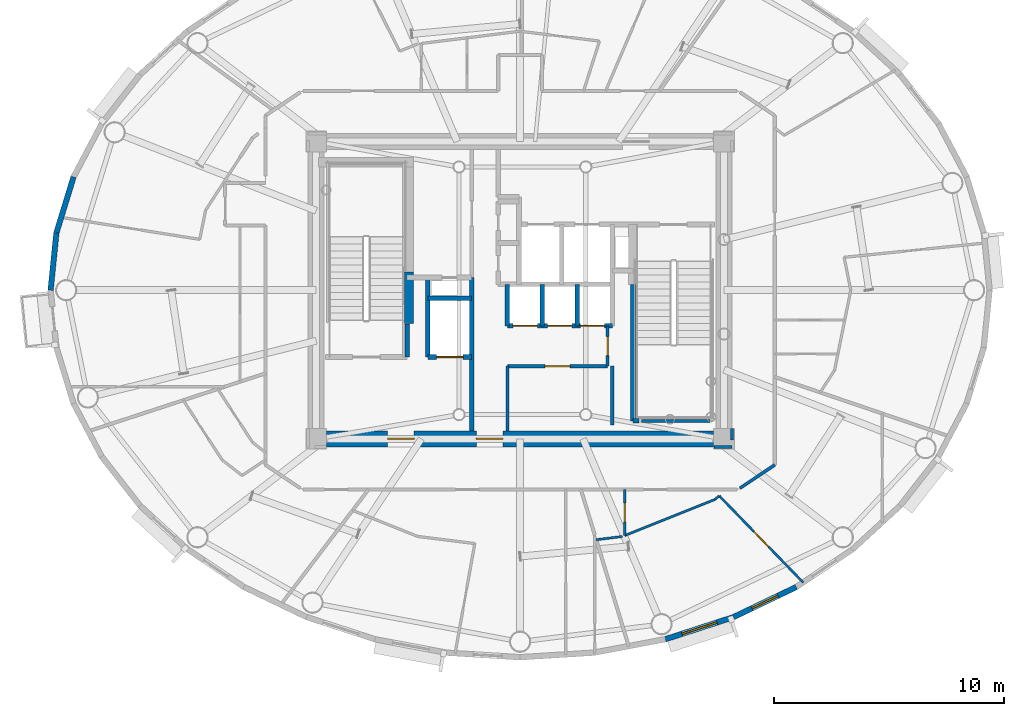
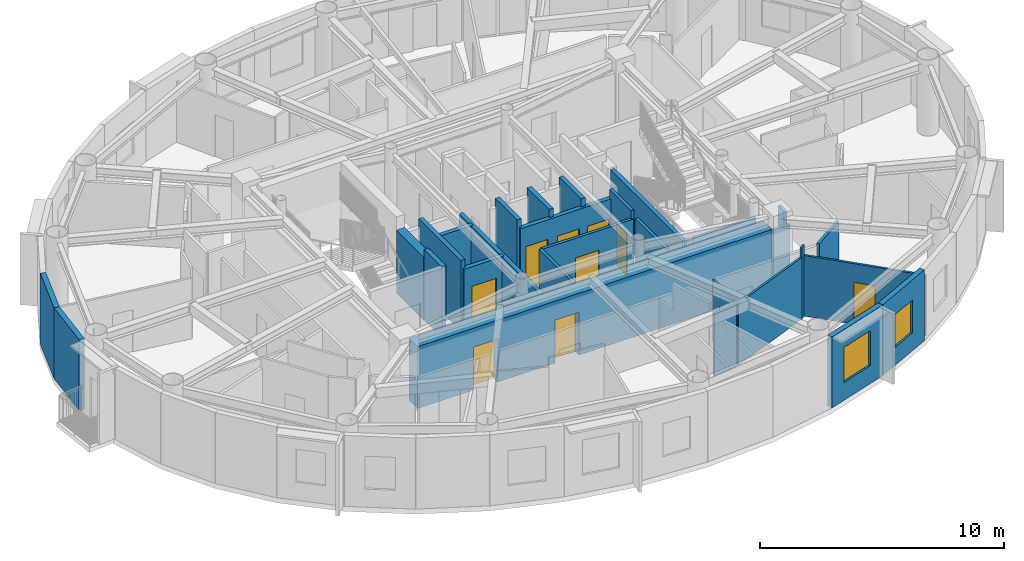
# One storey, part 7 of 17: 30 walls, 10 doors, 2 windows, 12 openings.
"""IFC4 building model written with IfcOpenShell, lengths in metres."""

from ifc_helpers import new_model, si_unit, direction, frame, frame_2d, origin, origin_2d, place, context, subcontext, project, spatial, rectangle, extrude, source, transform, mapped, material, layer, layer_set, type_object, element, fill, save


model = new_model("IFC4")

# Units and contexts
model_context = context("Model", 3, precision=1e-05, world=origin(), true_north=direction((0.0, 1.0)))
body_context = subcontext(model_context, "Body", "Model", "MODEL_VIEW")
ifc_project = project(units=[si_unit("LENGTHUNIT", "METRE"), si_unit("AREAUNIT", "SQUARE_METRE"), si_unit("VOLUMEUNIT", "CUBIC_METRE"), si_unit("PLANEANGLEUNIT", "RADIAN"), si_unit("MASSUNIT", "GRAM", prefix="KILO")], contexts=[model_context])

# Site, building, storey
site_placement = place(None, origin())
site = spatial("IfcSite", under=ifc_project, at=site_placement, CompositionType="ELEMENT")
building_placement = place(site_placement, origin())
building = spatial("IfcBuilding", under=site, at=building_placement, Name="Linh Dai School and Residence Tower", CompositionType="ELEMENT")
storey_placement = place(building_placement, frame((0.0, 0.0, 327.800048828125)))
storey = spatial("IfcBuildingStorey", under=building, at=storey_placement, Name="L81", CompositionType="ELEMENT", Elevation=327.800048828125)

# Walls
ifc_material_1 = material(Name="Precast Concrete B45 (C35/45)", Category="concrete")
ifc_layer_1 = layer(ifc_material_1, 0.239990234375)
ifc_layer_set_1 = layer_set([ifc_layer_1], Name="Precast Concrete B45 (C35/45)")
wall_type_1 = type_object("IfcWallType", Name="EW-TC-240", PredefinedType="SOLIDWALL", material=ifc_layer_set_1)
wall_1_placement = place(storey_placement, frame((15.875, 29.48681640625, 0.0), z_axis=(0.0, 0.0, 1.0), x_axis=(0.293105547213, 0.956080089842, 0.0)))
element("IfcWall", 1, at=wall_1_placement, inside=storey, type_object=wall_type_1, Name="L81 Terracotta Exterior Wall 19", PredefinedType="SOLIDWALL", context=body_context, shape_type="SweptSolid", body=[
    extrude(rectangle(XDim=2.5380859375, YDim=0.239990234375, at=frame_2d((1.26904296875, 0.0))), origin(), (0.0, 0.0, 1.0), 3.550048828125),
])
wall_2_placement = place(storey_placement, frame((15.625, 27.0, 0.0), z_axis=(0.0, 0.0, 1.0), x_axis=(0.100025963401, 0.994984827344, 0.0)))
element("IfcWall", 2, at=wall_2_placement, inside=storey, type_object=wall_type_1, Name="L81 Terracotta Exterior Wall 20", PredefinedType="SOLIDWALL", context=body_context, shape_type="SweptSolid", body=[
    extrude(rectangle(XDim=2.499267578125, YDim=0.239990234375, at=frame_2d((1.24951171875, 0.0))), origin(), (0.0, 0.0, 1.0), 3.550048828125),
])

# Wall, opening, window
wall_3_placement = place(storey_placement, frame((45.260498046875, 12.81103515625, 0.0), z_axis=(0.0, 0.0, 1.0), x_axis=(-0.951212850731, -0.308535431682, 0.0)))
wall_3 = element("IfcWall", 3, at=wall_3_placement, inside=storey, type_object=wall_type_1, Name="L81 Terracotta Exterior Wall 33", PredefinedType="SOLIDWALL", context=body_context, shape_type="SweptSolid", body=[
    extrude(rectangle(XDim=3.108154296875, YDim=0.239990234375, at=frame_2d((1.55419921875, 0.0))), origin(), (0.0, 0.0, 1.0), 3.550048828125),
])
opening_1_placement = place(wall_3_placement, frame((0.754150390625, 0.0, 0.89990234375)))
opening_1 = element("IfcOpeningElement", 4, at=opening_1_placement, cuts=wall_3, Name="Opening W2", PredefinedType="OPENING", context=body_context, shape_type="SweptSolid", body=[
    extrude(rectangle(XDim=1.60009765625, YDim=1.75, at=origin_2d()), frame((0.800048828125, 0.1298828125, 0.875), z_axis=(0.0, -1.0, 0.0), x_axis=(1.0, 0.0, 0.0)), (0.0, 0.0, 1.0), 0.260009765625),
])
ifc_material_2 = material(Name="Double Low-E Insulated Glazing", Category="glass")
window_type_1 = type_object("IfcWindowType", Name="WN-RES-1600x1750", PartitioningType="DOUBLE_PANEL_VERTICAL", PredefinedType="WINDOW", material=ifc_material_2)
shared_shape_1 = source(origin(), body_context, "Body", "SweptSolid", [
    extrude(rectangle(XDim=1.60009765625, YDim=1.75, at=origin_2d()), frame((0.800048828125, 0.030029296875, 0.875), z_axis=(0.0, -1.0, 0.0), x_axis=(1.0, 0.0, 0.0)), (0.0, 0.0, 1.0), 0.06005859375),
])
window_1_placement = place(opening_1_placement, origin())
window_1 = element("IfcWindow", 5, at=window_1_placement, inside=storey, type_object=window_type_1, Name="L81 Exterior Window 33.1", OverallHeight=1.75, OverallWidth=1.60009765625, PartitioningType="DOUBLE_PANEL_VERTICAL", PredefinedType="WINDOW", context=body_context, shape_type="MappedRepresentation", body=[
    mapped(shared_shape_1, transform((0.0, 0.0, 0.0), x_axis=(1.0, 0.0, 0.0), y_axis=(0.0, 1.0, 0.0), z_axis=(0.0, 0.0, 1.0), scale=1.0)),
])
fill(opening_1, window_1)

wall_4_placement = place(storey_placement, frame((47.98779296875, 14.119873046875, 0.0), z_axis=(0.0, 0.0, 1.0), x_axis=(-0.901557057889, -0.432660226241, 0.0)))
wall_4 = element("IfcWall", 6, at=wall_4_placement, inside=storey, type_object=wall_type_1, Name="L81 Terracotta Exterior Wall 34", PredefinedType="SOLIDWALL", context=body_context, shape_type="SweptSolid", body=[
    extrude(rectangle(XDim=3.025146484375, YDim=0.239990234375, at=frame_2d((1.5126953125, 0.0))), origin(), (0.0, 0.0, 1.0), 3.550048828125),
])
opening_2_placement = place(wall_4_placement, frame((0.8876953125, 0.0, 0.89990234375)))
opening_2 = element("IfcOpeningElement", 7, at=opening_2_placement, cuts=wall_4, Name="Opening W3", PredefinedType="OPENING", context=body_context, shape_type="SweptSolid", body=[
    extrude(rectangle(XDim=1.25, YDim=1.64990234375, at=origin_2d()), frame((0.625, 0.1298828125, 0.824951171875), z_axis=(0.0, -1.0, 0.0), x_axis=(1.0, 0.0, 0.0)), (0.0, 0.0, 1.0), 0.260009765625),
])
window_type_2 = type_object("IfcWindowType", Name="WN-RES-1250x1650", PartitioningType="SINGLE_PANEL", PredefinedType="WINDOW", material=ifc_material_2)
shared_shape_2 = source(origin(), body_context, "Body", "SweptSolid", [
    extrude(rectangle(XDim=1.25, YDim=1.64990234375, at=origin_2d()), frame((0.625, 0.030029296875, 0.824951171875), z_axis=(0.0, -1.0, 0.0), x_axis=(1.0, 0.0, 0.0)), (0.0, 0.0, 1.0), 0.06005859375),
])
window_2_placement = place(opening_2_placement, origin())
window_2 = element("IfcWindow", 8, at=window_2_placement, inside=storey, type_object=window_type_2, Name="L81 Exterior Window 34.1", OverallHeight=1.64990234375, OverallWidth=1.25, PartitioningType="SINGLE_PANEL", PredefinedType="WINDOW", context=body_context, shape_type="MappedRepresentation", body=[
    mapped(shared_shape_2, transform((0.0, 0.0, 0.0), x_axis=(1.0, 0.0, 0.0), y_axis=(0.0, 1.0, 0.0), z_axis=(0.0, 0.0, 1.0), scale=1.0)),
])
fill(opening_2, window_2)

# Wall
ifc_material_3 = material(Name="Autoclaved Aerated Concrete Blockwork", Category="masonry")
ifc_layer_2 = layer(ifc_material_3, 0.135009765625)
ifc_layer_set_2 = layer_set([ifc_layer_2], Name="Autoclaved Aerated Concrete Blockwork")
wall_type_2 = type_object("IfcWallType", Name="IW-CORR-135-EI90", PredefinedType="PARTITIONING", material=ifc_layer_set_2)
wall_5_placement = place(storey_placement, frame((35.449951171875, 20.89990234375, 0.0), z_axis=(0.0, 0.0, 1.0), x_axis=(0.0, 1.0, 0.0)))
element("IfcWall", 9, at=wall_5_placement, inside=storey, type_object=wall_type_2, Name="L81 Interior Partition Wall 047", PredefinedType="PARTITIONING", context=body_context, shape_type="SweptSolid", body=[
    extrude(rectangle(XDim=2.800048828125, YDim=0.135009765625, at=frame_2d((1.39990234375, 0.0))), origin(), (0.0, 0.0, 1.0), 3.135009765625),
])

# Wall, opening, door
wall_6_placement = place(storey_placement, frame((35.449951171875, 23.699951171875, 0.0), z_axis=(0.0, 0.0, 1.0), x_axis=(1.0, 0.0, 0.0)))
wall_6 = element("IfcWall", 10, at=wall_6_placement, inside=storey, type_object=wall_type_2, Name="L81 Interior Partition Wall 048", PredefinedType="PARTITIONING", context=body_context, shape_type="SweptSolid", body=[
    extrude(rectangle(XDim=4.35009765625, YDim=0.135009765625, at=frame_2d((2.175048828125, 0.0))), origin(), (0.0, 0.0, 1.0), 3.135009765625),
])
opening_3_placement = place(wall_6_placement, frame((1.625, 0.0, 0.0)))
opening_3 = element("IfcOpeningElement", 11, at=opening_3_placement, cuts=wall_6, Name="Opening D07", PredefinedType="OPENING", context=body_context, shape_type="SweptSolid", body=[
    extrude(rectangle(XDim=1.10009765625, YDim=2.14990234375, at=origin_2d()), frame((0.550048828125, 0.07763671875, 1.074951171875), z_axis=(0.0, -1.0, 0.0), x_axis=(1.0, 0.0, 0.0)), (0.0, 0.0, 1.0), 0.155029296875),
])
ifc_material_4 = material(Name="Fire-Rated Louvred Steel Plant Door", Category="steel")
door_type_1 = type_object("IfcDoorType", Name="DR-PLT-1100x2150-FD60S", OperationType="NOTDEFINED", PredefinedType="DOOR", material=ifc_material_4)
shared_shape_3 = source(origin(), body_context, "Body", "SweptSolid", [
    extrude(rectangle(XDim=1.10009765625, YDim=2.14990234375, at=origin_2d()), frame((0.550048828125, 0.02490234375, 1.074951171875), z_axis=(0.0, -1.0, 0.0), x_axis=(1.0, 0.0, 0.0)), (0.0, 0.0, 1.0), 0.050048828125),
])
door_1_placement = place(opening_3_placement, origin())
door_1 = element("IfcDoor", 12, at=door_1_placement, inside=storey, type_object=door_type_1, Name="L81 Tenant Metering and BMS Room Door", OperationType="SINGLE_SWING_LEFT", OverallHeight=2.14990234375, OverallWidth=1.10009765625, PredefinedType="DOOR", context=body_context, shape_type="MappedRepresentation", body=[
    mapped(shared_shape_3, transform((0.0, 0.0, 0.0), x_axis=(1.0, 0.0, 0.0), y_axis=(0.0, 1.0, 0.0), z_axis=(0.0, 0.0, 1.0), scale=1.0)),
])
fill(opening_3, door_1)

wall_7_placement = place(storey_placement, frame((39.800048828125, 23.699951171875, 0.0), z_axis=(0.0, 0.0, 1.0), x_axis=(0.0, 1.0, 0.0)))
wall_7 = element("IfcWall", 13, at=wall_7_placement, inside=storey, type_object=wall_type_2, Name="L81 Interior Partition Wall 067", PredefinedType="PARTITIONING", context=body_context, shape_type="SweptSolid", body=[
    extrude(rectangle(XDim=1.75, YDim=0.135009765625, at=frame_2d((0.875, 0.0))), origin(), (0.0, 0.0, 1.0), 3.550048828125),
])
opening_4_placement = place(wall_7_placement, frame((0.465087890625, 0.0, 0.0)))
opening_4 = element("IfcOpeningElement", 14, at=opening_4_placement, cuts=wall_7, Name="Opening D06", PredefinedType="OPENING", context=body_context, shape_type="SweptSolid", body=[
    extrude(rectangle(XDim=0.820068359375, YDim=2.10009765625, at=origin_2d()), frame((0.41015625, 0.07763671875, 1.050048828125), z_axis=(0.0, -1.0, 0.0), x_axis=(1.0, 0.0, 0.0)), (0.0, 0.0, 1.0), 0.155029296875),
])
ifc_material_5 = material(Name="Moisture-Resistant Timber Bathroom Door", Category="wood")
door_type_2 = type_object("IfcDoorType", Name="DR-WET-820x2100", OperationType="NOTDEFINED", PredefinedType="DOOR", material=ifc_material_5)
shared_shape_4 = source(origin(), body_context, "Body", "SweptSolid", [
    extrude(rectangle(XDim=0.820068359375, YDim=2.10009765625, at=origin_2d()), frame((0.41015625, 0.02490234375, 1.050048828125), z_axis=(0.0, -1.0, 0.0), x_axis=(1.0, 0.0, 0.0)), (0.0, 0.0, 1.0), 0.050048828125),
])
door_2_placement = place(opening_4_placement, origin())
door_2 = element("IfcDoor", 15, at=door_2_placement, inside=storey, type_object=door_type_2, Name="L81 Core Housekeeping Store Door", OperationType="SINGLE_SWING_LEFT", OverallHeight=2.10009765625, OverallWidth=0.820068359375, PredefinedType="DOOR", context=body_context, shape_type="MappedRepresentation", body=[
    mapped(shared_shape_4, transform((0.0, 0.0, 0.0), x_axis=(1.0, 0.0, 0.0), y_axis=(0.0, 1.0, 0.0), z_axis=(0.0, 0.0, 1.0), scale=1.0)),
])
fill(opening_4, door_2)

# Walls
wall_8_placement = place(storey_placement, frame((45.541259765625, 18.408203125, 0.0), z_axis=(0.0, 0.0, 1.0), x_axis=(0.831180227396, 0.556003084151, 0.0)))
element("IfcWall", 16, at=wall_8_placement, inside=storey, type_object=wall_type_2, Name="L81 Interior Partition Wall 077", PredefinedType="PARTITIONING", context=body_context, shape_type="SweptSolid", body=[
    extrude(rectangle(XDim=1.815185546875, YDim=0.135009765625, at=frame_2d((0.90771484375, 0.0))), origin(), (0.0, 0.0, 1.0), 3.0849609375),
])
wall_9_placement = place(storey_placement, frame((44.239990234375, 21.330078125, 0.0), z_axis=(0.0, 0.0, 1.0), x_axis=(-1.0, 0.0, 0.0)))
element("IfcWall", 17, at=wall_9_placement, inside=storey, type_object=wall_type_2, Name="L81 Interior Partition Wall 090", PredefinedType="PARTITIONING", context=body_context, shape_type="SweptSolid", body=[
    extrude(rectangle(XDim=2.97998046875, YDim=0.135009765625, at=frame_2d((1.489990234375, 0.0))), origin(), (0.0, 0.0, 1.0), 3.0849609375),
])
wall_10_placement = place(storey_placement, frame((40.0, 23.699951171875, 0.0), z_axis=(0.0, 0.0, 1.0), x_axis=(0.0, -1.0, 0.0)))
element("IfcWall", 18, at=wall_10_placement, inside=storey, type_object=wall_type_2, Name="L81 Interior Partition Wall 091", PredefinedType="PARTITIONING", context=body_context, shape_type="SweptSolid", body=[
    extrude(rectangle(XDim=2.5400390625, YDim=0.135009765625, at=frame_2d((1.27001953125, 0.0))), origin(), (0.0, 0.0, 1.0), 3.0849609375),
])
wall_11_placement = place(storey_placement, frame((44.409912109375, 20.199951171875, 0.0), z_axis=(0.0, 0.0, 1.0), x_axis=(1.0, 0.0, 0.0)))
element("IfcWall", 19, at=wall_11_placement, inside=storey, type_object=wall_type_2, Name="L81 Interior Partition Wall 099", PredefinedType="PARTITIONING", context=body_context, shape_type="SweptSolid", body=[
    extrude(rectangle(XDim=0.7900390625, YDim=0.135009765625, at=frame_2d((0.39501953125, 0.0))), origin(), (0.0, 0.0, 1.0), 3.0849609375),
])
wall_12_placement = place(storey_placement, frame((45.199951171875, 20.507568359375, 0.0), z_axis=(0.0, 0.0, 1.0), x_axis=(0.0, 1.0, 0.0)))
element("IfcWall", 20, at=wall_12_placement, inside=storey, type_object=wall_type_2, Name="L81 Interior Partition Wall 100", PredefinedType="PARTITIONING", context=body_context, shape_type="SweptSolid", body=[
    extrude(rectangle(XDim=0.482421875, YDim=0.135009765625, at=frame_2d((0.2412109375, 0.0))), origin(), (0.0, 0.0, 1.0), 3.550048828125),
])
ifc_material_6 = material(Name="Concrete B45 (C35/45)", Category="concrete")
ifc_layer_3 = layer(ifc_material_6, 0.199951171875)
ifc_layer_set_3 = layer_set([ifc_layer_3], Name="Concrete B45 (C35/45)")
wall_type_3 = type_object("IfcWallType", Name="IW-SHAFT-200-EI120", PredefinedType="PARTITIONING", material=ifc_layer_set_3)
wall_13_placement = place(storey_placement, frame((31.10009765625, 24.10009765625, 0.0), z_axis=(0.0, 0.0, 1.0), x_axis=(0.0, 1.0, 0.0)))
element("IfcWall", 21, at=wall_13_placement, inside=storey, type_object=wall_type_3, Name="L81 Interior Partition Wall 027", PredefinedType="PARTITIONING", context=body_context, shape_type="SweptSolid", body=[
    extrude(rectangle(XDim=1.43994140625, YDim=0.199951171875, at=frame_2d((0.719970703125, 0.0))), origin(), (0.0, 0.0, 1.0), 3.550048828125),
])
wall_14_placement = place(storey_placement, frame((32.0, 24.10009765625, 0.0), z_axis=(0.0, 0.0, 1.0), x_axis=(0.0, 1.0, 0.0)))
element("IfcWall", 22, at=wall_14_placement, inside=storey, type_object=wall_type_3, Name="L81 Interior Partition Wall 032", PredefinedType="PARTITIONING", context=body_context, shape_type="SweptSolid", body=[
    extrude(rectangle(XDim=3.449951171875, YDim=0.199951171875, at=frame_2d((1.72509765625, 0.0))), origin(), (0.0, 0.0, 1.0), 3.550048828125),
])

# Wall, opening, door
wall_15_placement = place(storey_placement, frame((32.0, 24.10009765625, 0.0), z_axis=(0.0, 0.0, 1.0), x_axis=(1.0, 0.0, 0.0)))
wall_15 = element("IfcWall", 23, at=wall_15_placement, inside=storey, type_object=wall_type_3, Name="L81 Interior Partition Wall 033", PredefinedType="PARTITIONING", context=body_context, shape_type="SweptSolid", body=[
    extrude(rectangle(XDim=1.89990234375, YDim=0.199951171875, at=frame_2d((0.949951171875, 0.0))), origin(), (0.0, 0.0, 1.0), 3.135009765625),
])
opening_5_placement = place(wall_15_placement, frame((0.375, 0.0, 0.0)))
opening_5 = element("IfcOpeningElement", 24, at=opening_5_placement, cuts=wall_15, Name="Opening LD-FF2", PredefinedType="OPENING", context=body_context, shape_type="SweptSolid", body=[
    extrude(rectangle(XDim=1.14990234375, YDim=2.14990234375, at=origin_2d()), frame((0.574951171875, 0.10986328125, 1.074951171875), z_axis=(0.0, -1.0, 0.0), x_axis=(1.0, 0.0, 0.0)), (0.0, 0.0, 1.0), 0.219970703125),
])
ifc_material_7 = material(Name="Fire-Rated Stainless Steel Firefighting Lift Door", Category="steel")
door_type_3 = type_object("IfcDoorType", Name="DR-LD-FF-1150x2150-FD120", OperationType="DOUBLE_DOOR_SLIDING", PredefinedType="USERDEFINED", material=ifc_material_7)
shared_shape_5 = source(origin(), body_context, "Body", "SweptSolid", [
    extrude(rectangle(XDim=1.14990234375, YDim=2.14990234375, at=origin_2d()), frame((0.574951171875, 0.02490234375, 1.074951171875), z_axis=(0.0, -1.0, 0.0), x_axis=(1.0, 0.0, 0.0)), (0.0, 0.0, 1.0), 0.050048828125),
])
door_3_placement = place(opening_5_placement, origin())
door_3 = element("IfcDoor", 25, at=door_3_placement, inside=storey, type_object=door_type_3, Name="L81 Lift FF2 Sliding Landing Door", ObjectType="LANDING DOOR", OperationType="DOUBLE_DOOR_SLIDING", OverallHeight=2.14990234375, OverallWidth=1.14990234375, PredefinedType="USERDEFINED", context=body_context, shape_type="MappedRepresentation", body=[
    mapped(shared_shape_5, transform((0.0, 0.0, 0.0), x_axis=(1.0, 0.0, 0.0), y_axis=(0.0, 1.0, 0.0), z_axis=(0.0, 0.0, 1.0), scale=1.0)),
])
fill(opening_5, door_3)

# Walls
wall_16_placement = place(storey_placement, frame((32.0, 26.64990234375, 0.0), z_axis=(0.0, 0.0, 1.0), x_axis=(1.0, 0.0, 0.0)))
element("IfcWall", 26, at=wall_16_placement, inside=storey, type_object=wall_type_3, Name="L81 Interior Partition Wall 034", PredefinedType="PARTITIONING", context=body_context, shape_type="SweptSolid", body=[
    extrude(rectangle(XDim=1.89990234375, YDim=0.199951171875, at=frame_2d((0.949951171875, 0.0))), origin(), (0.0, 0.0, 1.0), 3.135009765625),
])
wall_17_placement = place(storey_placement, frame((33.89990234375, 20.89990234375, 0.0), z_axis=(0.0, 0.0, 1.0), x_axis=(0.0, 1.0, 0.0)))
element("IfcWall", 27, at=wall_17_placement, inside=storey, type_object=wall_type_3, Name="L81 Interior Partition Wall 037", PredefinedType="PARTITIONING", context=body_context, shape_type="SweptSolid", body=[
    extrude(rectangle(XDim=6.650146484375, YDim=0.199951171875, at=frame_2d((3.3251953125, 0.0))), origin(), (0.0, 0.0, 1.0), 3.135009765625),
])
wall_18_placement = place(storey_placement, frame((35.449951171875, 25.449951171875, 0.0), z_axis=(0.0, 0.0, 1.0), x_axis=(0.0, 1.0, 0.0)))
element("IfcWall", 28, at=wall_18_placement, inside=storey, type_object=wall_type_3, Name="L81 Interior Partition Wall 049", PredefinedType="PARTITIONING", context=body_context, shape_type="SweptSolid", body=[
    extrude(rectangle(XDim=1.800048828125, YDim=0.199951171875, at=frame_2d((0.89990234375, 0.0))), origin(), (0.0, 0.0, 1.0), 3.550048828125),
])

# Wall, openings, doors
wall_19_placement = place(storey_placement, frame((35.449951171875, 25.449951171875, 0.0), z_axis=(0.0, 0.0, 1.0), x_axis=(1.0, 0.0, 0.0)))
wall_19 = element("IfcWall", 29, at=wall_19_placement, inside=storey, type_object=wall_type_3, Name="L81 Interior Partition Wall 050", PredefinedType="PARTITIONING", context=body_context, shape_type="SweptSolid", body=[
    extrude(rectangle(XDim=4.550048828125, YDim=0.199951171875, at=frame_2d((2.27490234375, 0.0))), origin(), (0.0, 0.0, 1.0), 3.135009765625),
])
opening_6_placement = place(wall_19_placement, frame((0.25, 0.0, 0.0)))
opening_6 = element("IfcOpeningElement", 30, at=opening_6_placement, cuts=wall_19, Name="Opening LD-PL7", PredefinedType="OPENING", context=body_context, shape_type="SweptSolid", body=[
    extrude(rectangle(XDim=1.050048828125, YDim=2.14990234375, at=origin_2d()), frame((0.52490234375, 0.10986328125, 1.074951171875), z_axis=(0.0, -1.0, 0.0), x_axis=(1.0, 0.0, 0.0)), (0.0, 0.0, 1.0), 0.219970703125),
])
opening_7_placement = place(wall_19_placement, frame((1.7451171875, 0.0, 0.0)))
opening_7 = element("IfcOpeningElement", 31, at=opening_7_placement, cuts=wall_19, Name="Opening LD-PL8", PredefinedType="OPENING", context=body_context, shape_type="SweptSolid", body=[
    extrude(rectangle(XDim=1.050048828125, YDim=2.14990234375, at=origin_2d()), frame((0.52490234375, 0.10986328125, 1.074951171875), z_axis=(0.0, -1.0, 0.0), x_axis=(1.0, 0.0, 0.0)), (0.0, 0.0, 1.0), 0.219970703125),
])
opening_8_placement = place(wall_19_placement, frame((3.1650390625, 0.0, 0.0)))
opening_8 = element("IfcOpeningElement", 32, at=opening_8_placement, cuts=wall_19, Name="Opening LD-PL9", PredefinedType="OPENING", context=body_context, shape_type="SweptSolid", body=[
    extrude(rectangle(XDim=1.050048828125, YDim=2.14990234375, at=origin_2d()), frame((0.52490234375, 0.10986328125, 1.074951171875), z_axis=(0.0, -1.0, 0.0), x_axis=(1.0, 0.0, 0.0)), (0.0, 0.0, 1.0), 0.219970703125),
])
ifc_material_8 = material(Name="Brushed Stainless Steel Lift Landing Door", Category="steel")
door_type_4 = type_object("IfcDoorType", Name="DR-LD-PASS-1050x2150", OperationType="DOUBLE_DOOR_SLIDING", PredefinedType="USERDEFINED", material=ifc_material_8)
shared_shape_6 = source(origin(), body_context, "Body", "SweptSolid", [
    extrude(rectangle(XDim=1.050048828125, YDim=2.14990234375, at=origin_2d()), frame((0.52490234375, 0.02490234375, 1.074951171875), z_axis=(0.0, -1.0, 0.0), x_axis=(1.0, 0.0, 0.0)), (0.0, 0.0, 1.0), 0.050048828125),
])
door_4_placement = place(opening_6_placement, origin())
door_4 = element("IfcDoor", 33, at=door_4_placement, inside=storey, type_object=door_type_4, Name="L81 Lift PL7 Sliding Landing Door", ObjectType="LANDING DOOR", OperationType="DOUBLE_DOOR_SLIDING", OverallHeight=2.14990234375, OverallWidth=1.050048828125, PredefinedType="USERDEFINED", context=body_context, shape_type="MappedRepresentation", body=[
    mapped(shared_shape_6, transform((0.0, 0.0, 0.0), x_axis=(1.0, 0.0, 0.0), y_axis=(0.0, 1.0, 0.0), z_axis=(0.0, 0.0, 1.0), scale=1.0)),
])
fill(opening_6, door_4)
door_5_placement = place(opening_7_placement, origin())
door_5 = element("IfcDoor", 34, at=door_5_placement, inside=storey, type_object=door_type_4, Name="L81 Lift PL8 Sliding Landing Door", ObjectType="LANDING DOOR", OperationType="DOUBLE_DOOR_SLIDING", OverallHeight=2.14990234375, OverallWidth=1.050048828125, PredefinedType="USERDEFINED", context=body_context, shape_type="MappedRepresentation", body=[
    mapped(shared_shape_6, transform((0.0, 0.0, 0.0), x_axis=(1.0, 0.0, 0.0), y_axis=(0.0, 1.0, 0.0), z_axis=(0.0, 0.0, 1.0), scale=1.0)),
])
fill(opening_7, door_5)
door_6_placement = place(opening_8_placement, origin())
door_6 = element("IfcDoor", 35, at=door_6_placement, inside=storey, type_object=door_type_4, Name="L81 Lift PL9 Sliding Landing Door", ObjectType="LANDING DOOR", OperationType="DOUBLE_DOOR_SLIDING", OverallHeight=2.14990234375, OverallWidth=1.050048828125, PredefinedType="USERDEFINED", context=body_context, shape_type="MappedRepresentation", body=[
    mapped(shared_shape_6, transform((0.0, 0.0, 0.0), x_axis=(1.0, 0.0, 0.0), y_axis=(0.0, 1.0, 0.0), z_axis=(0.0, 0.0, 1.0), scale=1.0)),
])
fill(opening_8, door_6)

# Walls
for number, where, z_axis, x_axis, name in (
    (36, (36.9599609375, 25.449951171875, 0.0), (0.0, 0.0, 1.0), (0.0, 1.0, 0.0), "L81 Interior Partition Wall 057"),
    (37, (38.47998046875, 25.449951171875, 0.0), (0.0, 0.0, 1.0), (0.0, 1.0, 0.0), "L81 Interior Partition Wall 060"),
):
    element("IfcWall", number, at=place(storey_placement, frame(where, z_axis=z_axis, x_axis=x_axis)), inside=storey, type_object=wall_type_3, Name=name, PredefinedType="PARTITIONING", context=body_context, shape_type="SweptSolid", body=[
        extrude(rectangle(XDim=1.800048828125, YDim=0.199951171875, at=frame_2d((0.89990234375, 0.0))), origin(), (0.0, 0.0, 1.0), 3.550048828125),
    ])
wall_20_placement = place(storey_placement, frame((40.89990234375, 21.330078125, 0.0), z_axis=(0.0, 0.0, 1.0), x_axis=(0.0, 1.0, 0.0)))
element("IfcWall", 38, at=wall_20_placement, inside=storey, type_object=wall_type_3, Name="L81 Interior Partition Wall 072", PredefinedType="PARTITIONING", context=body_context, shape_type="SweptSolid", body=[
    extrude(rectangle(XDim=5.909912109375, YDim=0.199951171875, at=frame_2d((2.955078125, 0.0))), origin(), (0.0, 0.0, 1.0), 3.0849609375),
])
wall_21_placement = place(storey_placement, frame((40.89990234375, 21.330078125, 0.0), z_axis=(0.0, 0.0, 1.0), x_axis=(1.0, 0.0, 0.0)))
element("IfcWall", 39, at=wall_21_placement, inside=storey, type_object=wall_type_3, Name="L81 Interior Partition Wall 073", PredefinedType="PARTITIONING", context=body_context, shape_type="SweptSolid", body=[
    extrude(rectangle(XDim=0.25, YDim=0.199951171875, at=frame_2d((0.125, 0.0))), origin(), (0.0, 0.0, 1.0), 3.0849609375),
])
ifc_material_9 = material(Name="Gypsum Plasterboard Acoustic Stud Partition", Category="masonry")
ifc_layer_4 = layer(ifc_material_9, 0.10009765625)
ifc_layer_set_4 = layer_set([ifc_layer_4], Name="Gypsum Plasterboard Acoustic Stud Partition")
wall_type_4 = type_object("IfcWallType", Name="IW-UNIT-100", PredefinedType="PARTITIONING", material=ifc_layer_set_4)
wall_22_placement = place(storey_placement, frame((39.3037109375, 16.17138671875, 0.0), z_axis=(0.0, 0.0, 1.0), x_axis=(0.992405921313, 0.123006045959, 0.0)))
element("IfcWall", 40, at=wall_22_placement, inside=storey, type_object=wall_type_4, Name="L81 Interior Partition Wall 064", PredefinedType="PARTITIONING", context=body_context, shape_type="SweptSolid", body=[
    extrude(rectangle(XDim=1.13916015625, YDim=0.10009765625, at=frame_2d((0.569580078125, 0.0))), origin(), (0.0, 0.0, 1.0), 3.0849609375),
])

# Wall, opening, door
wall_23_placement = place(storey_placement, frame((40.54296875, 16.35498046875, 0.0), z_axis=(0.0, 0.0, 1.0), x_axis=(0.0, 1.0, 0.0)))
wall_23 = element("IfcWall", 41, at=wall_23_placement, inside=storey, type_object=wall_type_4, Name="L81 Interior Partition Wall 070", PredefinedType="PARTITIONING", context=body_context, shape_type="SweptSolid", body=[
    extrude(rectangle(XDim=1.9951171875, YDim=0.10009765625, at=frame_2d((0.99755859375, 0.0))), origin(), (0.0, 0.0, 1.0), 3.0849609375),
])
opening_9_placement = place(wall_23_placement, frame((0.587646484375, 0.0, 0.0)))
opening_9 = element("IfcOpeningElement", 42, at=opening_9_placement, cuts=wall_23, Name="Opening D06", PredefinedType="OPENING", context=body_context, shape_type="SweptSolid", body=[
    extrude(rectangle(XDim=0.820068359375, YDim=2.10009765625, at=origin_2d()), frame((0.41015625, 0.06005859375, 1.050048828125), z_axis=(0.0, -1.0, 0.0), x_axis=(1.0, 0.0, 0.0)), (0.0, 0.0, 1.0), 0.1201171875),
])
door_7_placement = place(opening_9_placement, origin())
door_7 = element("IfcDoor", 43, at=door_7_placement, inside=storey, type_object=door_type_2, Name="L81 Apartment U8106 Bathroom 1 Door", OperationType="SINGLE_SWING_RIGHT", OverallHeight=2.10009765625, OverallWidth=0.820068359375, PredefinedType="DOOR", context=body_context, shape_type="MappedRepresentation", body=[
    mapped(shared_shape_4, transform((0.0, 0.0, 0.0), x_axis=(1.0, 0.0, 0.0), y_axis=(0.0, 1.0, 0.0), z_axis=(0.0, 0.0, 1.0), scale=1.0)),
])
fill(opening_9, door_7)

# Walls
wall_24_placement = place(storey_placement, frame((40.54296875, 16.35498046875, 0.0), z_axis=(0.0, 0.0, 1.0), x_axis=(0.928785770399, 0.370617043191, 0.0)))
element("IfcWall", 44, at=wall_24_placement, inside=storey, type_object=wall_type_4, Name="L81 Interior Partition Wall 071", PredefinedType="PARTITIONING", context=body_context, shape_type="SweptSolid", body=[
    extrude(rectangle(XDim=4.190185546875, YDim=0.10009765625, at=frame_2d((2.09521484375, 0.0))), origin(), (0.0, 0.0, 1.0), 3.0849609375),
])
wall_25_placement = place(storey_placement, frame((44.434814453125, 17.907958984375, 0.0), z_axis=(0.0, 0.0, 1.0), x_axis=(0.787427799495, 0.616406895307, 0.0)))
element("IfcWall", 45, at=wall_25_placement, inside=storey, type_object=wall_type_4, Name="L81 Interior Partition Wall 075", PredefinedType="PARTITIONING", context=body_context, shape_type="SweptSolid", body=[
    extrude(rectangle(XDim=0.266845703125, YDim=0.10009765625, at=frame_2d((0.13330078125, 0.0))), origin(), (0.0, 0.0, 1.0), 3.550048828125),
])

# Wall, opening, door
wall_26_placement = place(storey_placement, frame((44.64501953125, 18.072509765625, 0.0), z_axis=(0.0, 0.0, 1.0), x_axis=(0.695656073062, -0.718374991221, 0.0)))
wall_26 = element("IfcWall", 46, at=wall_26_placement, inside=storey, type_object=wall_type_4, Name="L81 Interior Partition Wall 076", PredefinedType="PARTITIONING", context=body_context, shape_type="SweptSolid", body=[
    extrude(rectangle(XDim=5.2333984375, YDim=0.10009765625, at=frame_2d((2.61669921875, 0.0))), origin(), (0.0, 0.0, 1.0), 3.034912109375),
])
opening_10_placement = place(wall_26_placement, frame((2.166748046875, 0.0, 0.0)))
opening_10 = element("IfcOpeningElement", 47, at=opening_10_placement, cuts=wall_26, Name="Opening D05", PredefinedType="OPENING", context=body_context, shape_type="SweptSolid", body=[
    extrude(rectangle(XDim=0.89990234375, YDim=2.10009765625, at=origin_2d()), frame((0.449951171875, 0.06005859375, 1.050048828125), z_axis=(0.0, -1.0, 0.0), x_axis=(1.0, 0.0, 0.0)), (0.0, 0.0, 1.0), 0.1201171875),
])
ifc_material_10 = material(Name="Engineered Timber Internal Door", Category="wood")
door_type_5 = type_object("IfcDoorType", Name="DR-INT-900x2100", OperationType="NOTDEFINED", PredefinedType="DOOR", material=ifc_material_10)
shared_shape_7 = source(origin(), body_context, "Body", "SweptSolid", [
    extrude(rectangle(XDim=0.89990234375, YDim=2.10009765625, at=origin_2d()), frame((0.449951171875, 0.02490234375, 1.050048828125), z_axis=(0.0, -1.0, 0.0), x_axis=(1.0, 0.0, 0.0)), (0.0, 0.0, 1.0), 0.050048828125),
])
door_8_placement = place(opening_10_placement, origin())
door_8 = element("IfcDoor", 48, at=door_8_placement, inside=storey, type_object=door_type_5, Name="L81 Apartment U8106 Bedroom 1 Door", OperationType="SINGLE_SWING_LEFT", OverallHeight=2.10009765625, OverallWidth=0.89990234375, PredefinedType="DOOR", context=body_context, shape_type="MappedRepresentation", body=[
    mapped(shared_shape_7, transform((0.0, 0.0, 0.0), x_axis=(1.0, 0.0, 0.0), y_axis=(0.0, 1.0, 0.0), z_axis=(0.0, 0.0, 1.0), scale=1.0)),
])
fill(opening_10, door_8)

# Wall
ifc_layer_5 = layer(ifc_material_6, 0.39990234375)
ifc_layer_set_5 = layer_set([ifc_layer_5], Name="Concrete B45 (C35/45)")
wall_type_5 = type_object("IfcWallType", Name="WL-CORE400", PredefinedType="SHEAR", material=ifc_layer_set_5)
wall_27_placement = place(storey_placement, frame((31.179931640625, 25.550048828125, 0.0), z_axis=(0.0, 0.0, 1.0), x_axis=(0.0, 1.0, 0.0)))
element("IfcWall", 49, at=wall_27_placement, inside=storey, type_object=wall_type_5, Name="L81 Internal Core Shear Wall IW", PredefinedType="SHEAR", context=body_context, shape_type="SweptSolid", body=[
    extrude(rectangle(XDim=2.25, YDim=0.39990234375, at=frame_2d((1.125, 0.0))), origin(), (0.0, 0.0, 1.0), 3.14990234375),
])

# Wall, openings, doors
ifc_layer_6 = layer(ifc_material_6, 0.699951171875)
ifc_layer_set_6 = layer_set([ifc_layer_6], Name="Concrete B45 (C35/45)")
wall_type_6 = type_object("IfcWallType", Name="WL-CORE700", PredefinedType="SHEAR", material=ifc_layer_set_6)
wall_28_placement = place(storey_placement, frame((44.39990234375, 20.550048828125, 0.0), z_axis=(0.0, 0.0, 1.0), x_axis=(-1.0, 0.0, 0.0)))
wall_28 = element("IfcWall", 50, at=wall_28_placement, inside=storey, type_object=wall_type_6, Name="L81 Central Core Shear Wall S", PredefinedType="SHEAR", context=body_context, shape_type="SweptSolid", body=[
    extrude(rectangle(XDim=16.7998046875, YDim=0.699951171875, at=frame_2d((8.39990234375, 0.0))), origin(), (0.0, 0.0, 1.0), 3.099853515625),
])
opening_11_placement = place(wall_28_placement, frame((13.0, 0.0, 0.0)))
opening_11 = element("IfcOpeningElement", 51, at=opening_11_placement, cuts=wall_28, Name="Opening D02", PredefinedType="OPENING", context=body_context, shape_type="SweptSolid", body=[
    extrude(rectangle(XDim=1.14990234375, YDim=2.14990234375, at=origin_2d()), frame((0.574951171875, 0.35986328125, 1.074951171875), z_axis=(0.0, -1.0, 0.0), x_axis=(1.0, 0.0, 0.0)), (0.0, 0.0, 1.0), 0.719970703125),
])
opening_12_placement = place(wall_28_placement, frame((9.14990234375, 0.0, 0.0)))
opening_12 = element("IfcOpeningElement", 52, at=opening_12_placement, cuts=wall_28, Name="Opening D02", PredefinedType="OPENING", context=body_context, shape_type="SweptSolid", body=[
    extrude(rectangle(XDim=1.14990234375, YDim=2.14990234375, at=origin_2d()), frame((0.574951171875, 0.35986328125, 1.074951171875), z_axis=(0.0, -1.0, 0.0), x_axis=(1.0, 0.0, 0.0)), (0.0, 0.0, 1.0), 0.719970703125),
])
ifc_material_11 = material(Name="Fire-Rated Glazed Steel Lobby Door", Category="steel")
door_type_6 = type_object("IfcDoorType", Name="DR-LOBBY-1150x2150-FD90S", OperationType="NOTDEFINED", PredefinedType="DOOR", material=ifc_material_11)
shared_shape_8 = source(origin(), body_context, "Body", "SweptSolid", [
    extrude(rectangle(XDim=1.14990234375, YDim=2.14990234375, at=origin_2d()), frame((0.574951171875, 0.02490234375, 1.074951171875), z_axis=(0.0, -1.0, 0.0), x_axis=(1.0, 0.0, 0.0)), (0.0, 0.0, 1.0), 0.050048828125),
])
door_9_placement = place(opening_11_placement, origin())
door_9 = element("IfcDoor", 53, at=door_9_placement, inside=storey, type_object=door_type_6, Name="L81 Firefighting Lobby Door", OperationType="SINGLE_SWING_LEFT", OverallHeight=2.14990234375, OverallWidth=1.14990234375, PredefinedType="DOOR", context=body_context, shape_type="MappedRepresentation", body=[
    mapped(shared_shape_8, transform((0.0, 0.0, 0.0), x_axis=(1.0, 0.0, 0.0), y_axis=(0.0, 1.0, 0.0), z_axis=(0.0, 0.0, 1.0), scale=1.0)),
])
fill(opening_11, door_9)
door_10_placement = place(opening_12_placement, origin())
door_10 = element("IfcDoor", 54, at=door_10_placement, inside=storey, type_object=door_type_6, Name="L81 Passenger Foyer Access Door", OperationType="SINGLE_SWING_LEFT", OverallHeight=2.14990234375, OverallWidth=1.14990234375, PredefinedType="DOOR", context=body_context, shape_type="MappedRepresentation", body=[
    mapped(shared_shape_8, transform((0.0, 0.0, 0.0), x_axis=(1.0, 0.0, 0.0), y_axis=(0.0, 1.0, 0.0), z_axis=(0.0, 0.0, 1.0), scale=1.0)),
])
fill(opening_12, door_10)

save(model, "model.ifc")
